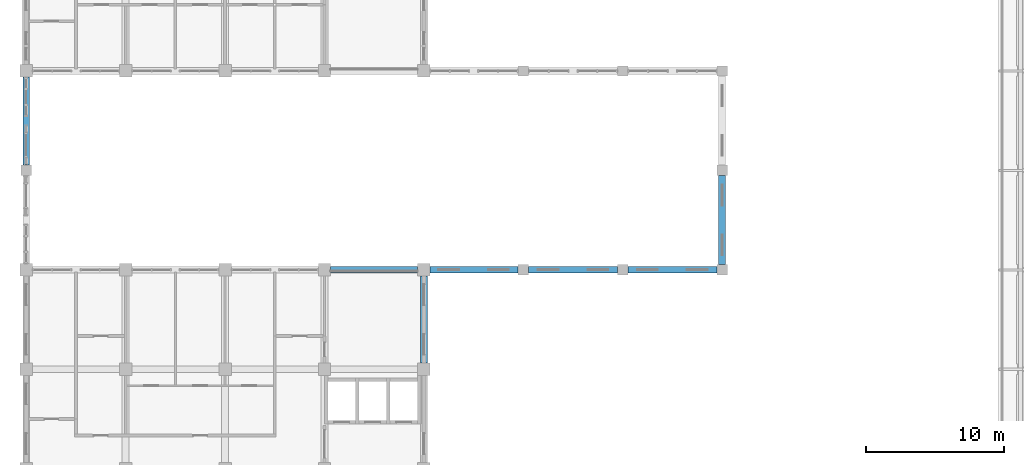
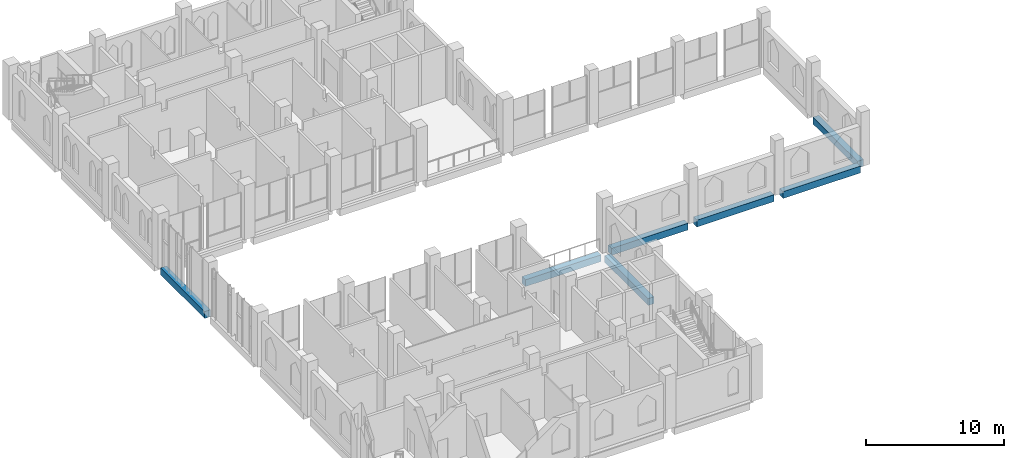
# One storey, part 6 of 30: 7 beams.
"""IFC4 building model written with IfcOpenShell, lengths in metres."""

from ifc_helpers import new_model, si_unit, direction, frame, origin, origin_2d, place, context, subcontext, project, spatial, rectangle, extrude, material, material_profile, profile_set, type_object, element, save


model = new_model("IFC4")

# Units and contexts
model_context = context("Model", 3, precision=1e-05, world=origin(), true_north=direction((0.0, 1.0)))
body_context = subcontext(model_context, "Body", "Model", "MODEL_VIEW")
ifc_project = project(units=[si_unit("LENGTHUNIT", "METRE"), si_unit("AREAUNIT", "SQUARE_METRE"), si_unit("VOLUMEUNIT", "CUBIC_METRE"), si_unit("PLANEANGLEUNIT", "RADIAN"), si_unit("MASSUNIT", "GRAM", prefix="KILO")], contexts=[model_context])

# Site, building, storey
site_placement = place(None, origin())
site = spatial("IfcSite", under=ifc_project, at=site_placement, CompositionType="ELEMENT")
building_placement = place(site_placement, origin())
building = spatial("IfcBuilding", under=site, at=building_placement, Name="Silangan Lancet Faculty of Sciences", CompositionType="ELEMENT")
storey_placement = place(building_placement, frame((0.0, 0.0, 31.199951171875)))
storey = spatial("IfcBuildingStorey", under=building, at=storey_placement, Name="L06", CompositionType="ELEMENT", Elevation=31.199951171875)

# Beams
ifc_material = material(Name="Concrete C40/50", Category="concrete")
ifc_material_profile = material_profile(ifc_material, rectangle(XDim=0.5, YDim=0.60009765625, at=origin_2d()), Name="RC 500x600")
ifc_profile_set = profile_set([ifc_material_profile], Name="Concrete C40/50")
beam_type = type_object("IfcBeamType", Name="BEAM RC 500x600", PredefinedType="BEAM", material=ifc_profile_set)
beam_1_placement = place(storey_placement, frame((22.050048828125, 21.60009765625, -0.550048828125), z_axis=(1.0, 0.0, 0.0), x_axis=(0.0, 1.0, 0.0)))
element("IfcBeam", 1, at=beam_1_placement, inside=storey, type_object=beam_type, Name="BM-L06-4D-5D", PredefinedType="BEAM", context=body_context, shape_type="SweptSolid", body=[
    extrude(rectangle(XDim=0.5, YDim=0.60009765625, at=origin_2d()), origin(), (0.0, 0.0, 1.0), 6.300048828125),
])
beam_2_placement = place(storey_placement, frame((29.25, 21.60009765625, -0.300048828125), z_axis=(1.0, 0.0, 0.0), x_axis=(0.0, 1.0, 0.0)))
element("IfcBeam", 2, at=beam_2_placement, inside=storey, type_object=beam_type, Name="BM-L06-5D-6D", PredefinedType="BEAM", context=body_context, shape_type="SweptSolid", body=[
    extrude(rectangle(XDim=0.5, YDim=0.60009765625, at=origin_2d()), origin(), (0.0, 0.0, 1.0), 6.375),
])
for number, where, z_axis, x_axis, name in (
    (3, (36.375, 21.60009765625, -0.300048828125), (1.0, 0.0, 0.0), (0.0, 1.0, 0.0), "BM-L06-6D-7D"),
    (4, (43.574951171875, 21.60009765625, -0.300048828125), (1.0, 0.0, 0.0), (0.0, 1.0, 0.0), "BM-L06-7D-8D"),
):
    element("IfcBeam", number, at=place(storey_placement, frame(where, z_axis=z_axis, x_axis=x_axis)), inside=storey, type_object=beam_type, Name=name, PredefinedType="BEAM", context=body_context, shape_type="SweptSolid", body=[
        extrude(rectangle(XDim=0.5, YDim=0.60009765625, at=origin_2d()), origin(), (0.0, 0.0, 1.0), 6.449951171875),
    ])
beam_3_placement = place(storey_placement, frame((0.0, 29.175048828125, -0.300048828125), z_axis=(0.0, 1.0, 0.0), x_axis=(-1.0, 0.0, 0.0)))
element("IfcBeam", 5, at=beam_3_placement, inside=storey, type_object=beam_type, Name="BM-L06-1E-1F", PredefinedType="BEAM", context=body_context, shape_type="SweptSolid", body=[
    extrude(rectangle(XDim=0.5, YDim=0.60009765625, at=origin_2d()), origin(), (0.0, 0.0, 1.0), 6.375),
])
beam_4_placement = place(storey_placement, frame((28.800048828125, 14.85009765625, -0.550048828125), z_axis=(0.0, 1.0, 0.0), x_axis=(-1.0, 0.0, 0.0)))
element("IfcBeam", 6, at=beam_4_placement, inside=storey, type_object=beam_type, Name="BM-L06-5C-5D", PredefinedType="BEAM", context=body_context, shape_type="SweptSolid", body=[
    extrude(rectangle(XDim=0.5, YDim=0.60009765625, at=origin_2d()), origin(), (0.0, 0.0, 1.0), 6.2998046875),
])
beam_5_placement = place(storey_placement, frame((50.39990234375, 21.97509765625, -0.300048828125), z_axis=(0.0, 1.0, 0.0), x_axis=(-1.0, 0.0, 0.0)))
element("IfcBeam", 7, at=beam_5_placement, inside=storey, type_object=beam_type, Name="BM-L06-8D-8E", PredefinedType="BEAM", context=body_context, shape_type="SweptSolid", body=[
    extrude(rectangle(XDim=0.5, YDim=0.60009765625, at=origin_2d()), origin(), (0.0, 0.0, 1.0), 6.449951171875),
])

save(model, "model.ifc")
